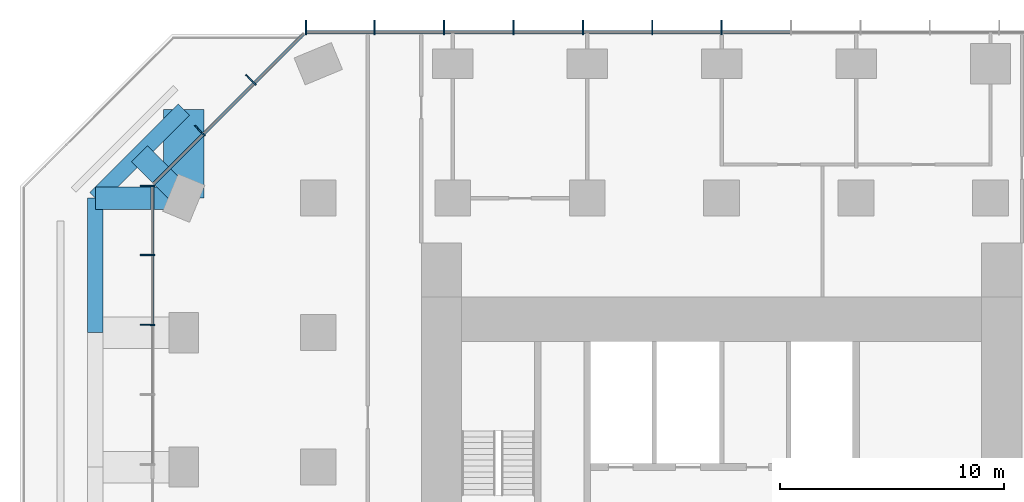
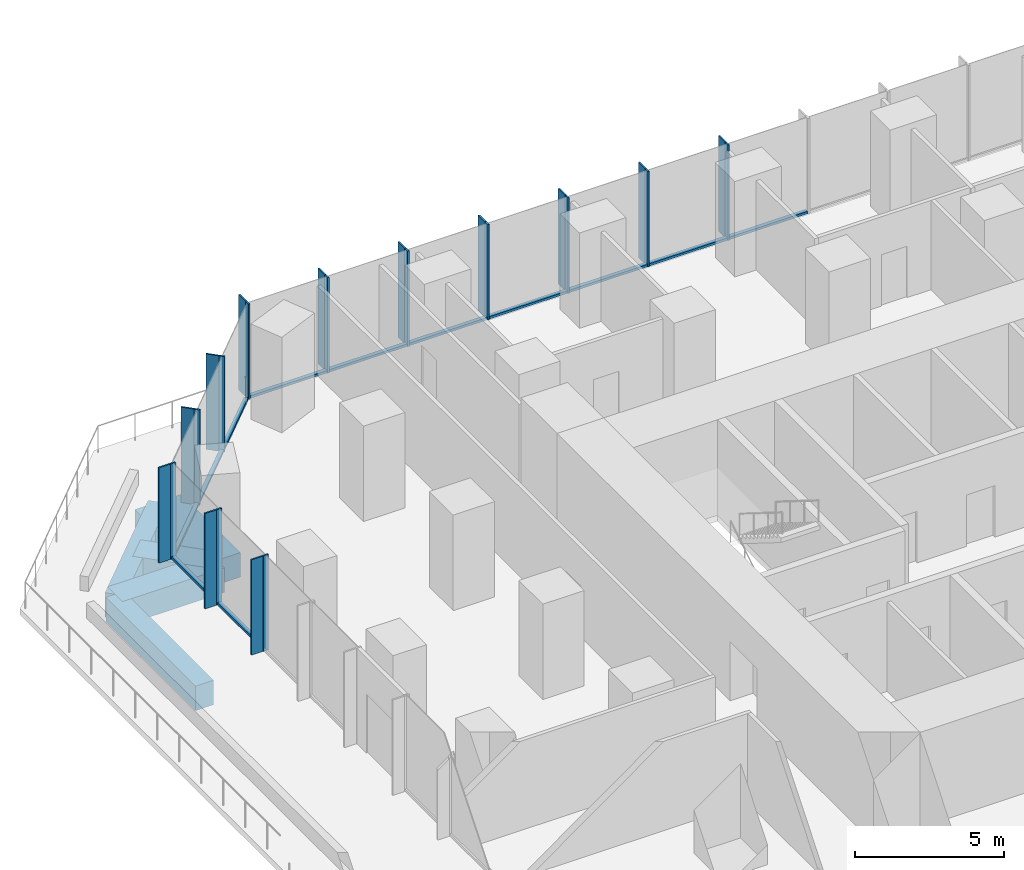
# One storey, part 5 of 11: 36 members, 5 beams, 3 elements without a shape of their own.
"""IFC4 building model written with IfcOpenShell, lengths in metres."""

from ifc_helpers import new_model, si_unit, direction, frame, origin, origin_2d, place, context, subcontext, project, spatial, rectangle, extrude, material, layer, layer_set, material_profile, profile_set, type_object, element, aggregate, save


model = new_model("IFC4")

# Units and contexts
model_context = context("Model", 3, precision=1e-05, world=origin(), true_north=direction((0.0, 1.0)))
body_context = subcontext(model_context, "Body", "Model", "MODEL_VIEW")
ifc_project = project(units=[si_unit("LENGTHUNIT", "METRE"), si_unit("AREAUNIT", "SQUARE_METRE"), si_unit("VOLUMEUNIT", "CUBIC_METRE"), si_unit("PLANEANGLEUNIT", "RADIAN"), si_unit("MASSUNIT", "GRAM", prefix="KILO")], contexts=[model_context])

# Site, building, storey
site_placement = place(None, origin())
site = spatial("IfcSite", under=ifc_project, at=site_placement, CompositionType="ELEMENT")
building_placement = place(site_placement, origin())
building = spatial("IfcBuilding", under=site, at=building_placement, Name="Highveld Stack Headquarters", CompositionType="ELEMENT")
storey_placement = place(building_placement, frame((0.0, 0.0, 140.60009765625)))
storey = spatial("IfcBuildingStorey", under=building, at=storey_placement, Name="L34", CompositionType="ELEMENT", Elevation=140.60009765625)

# Beams
ifc_material_1 = material(Name="Concrete C60/75", Category="concrete")
ifc_material_profile_1 = material_profile(ifc_material_1, rectangle(XDim=1.0, YDim=1.0, at=origin_2d()), Name="RC 1000x1000")
ifc_profile_set_1 = profile_set([ifc_material_profile_1], Name="Concrete C60/75")
beam_type_1 = type_object("IfcBeamType", Name="CANTILEVER RIB RC 1000x1000", PredefinedType="USERDEFINED", material=ifc_profile_set_1)
beam_1_placement = place(storey_placement, frame((-18.0, 18.0, -0.75), z_axis=(-1.0, 0.0, 0.0), x_axis=(0.0, -1.0, 0.0)))
element("IfcBeam", 1, at=beam_1_placement, inside=storey, type_object=beam_type_1, Name="Cantilever rib 3/H L34", ObjectType="CANTILEVER RIB", PredefinedType="USERDEFINED", context=body_context, shape_type="SweptSolid", body=[
    extrude(rectangle(XDim=1.0, YDim=1.0, at=origin_2d()), origin(), (0.0, 0.0, 1.0), 3.949951171875),
])
beam_2_placement = place(storey_placement, frame((-18.0, 18.0, -0.75), z_axis=(-0.707106781187, 0.707106781187, 0.0), x_axis=(-0.707106781187, -0.707106781187, 0.0)))
element("IfcBeam", 2, at=beam_2_placement, inside=storey, type_object=beam_type_1, Name="Cantilever rib 3/H L34", ObjectType="CANTILEVER RIB", PredefinedType="USERDEFINED", context=body_context, shape_type="SweptSolid", body=[
    extrude(rectangle(XDim=1.0, YDim=1.0, at=origin_2d()), origin(), (0.0, 0.0, 1.0), 2.793212890625),
])
ifc_material_2 = material(Name="Concrete C60/75", Category="concrete")
ifc_material_profile_2 = material_profile(ifc_material_2, rectangle(XDim=1.800048828125, YDim=1.0, at=origin_2d()), Name="RC 1800x1000")
ifc_profile_set_2 = profile_set([ifc_material_profile_2], Name="Concrete C60/75")
beam_type_2 = type_object("IfcBeamType", Name="CANTILEVER RIB RC 1800x1000", PredefinedType="USERDEFINED", material=ifc_profile_set_2)
beam_3_placement = place(storey_placement, frame((-18.0, 18.0, -0.75), z_axis=(0.0, 1.0, 0.0), x_axis=(-1.0, 0.0, 0.0)))
element("IfcBeam", 3, at=beam_3_placement, inside=storey, type_object=beam_type_2, Name="Cantilever rib 3/H L34", ObjectType="CANTILEVER RIB", PredefinedType="USERDEFINED", context=body_context, shape_type="SweptSolid", body=[
    extrude(rectangle(XDim=1.800048828125, YDim=1.0, at=origin_2d()), origin(), (0.0, 0.0, 1.0), 3.949951171875),
])

# Curtain wall, members
ifc_material_3 = material(Name="Aluminium bronze anodised", Category="aluminium")
ifc_layer_1 = layer(ifc_material_3, 0.199951171875)
ifc_layer_set_1 = layer_set([ifc_layer_1], Name="Aluminium bronze anodised")
curtain_wall_type_1 = type_object("IfcCurtainWallType", Name="CW1 TOWER UNITISED CURTAIN WALL", PredefinedType="NOTDEFINED", material=ifc_layer_set_1)
curtain_wall_1_placement = place(storey_placement, origin())
curtain_wall_1 = element("IfcCurtainWall", 4, at=curtain_wall_1_placement, inside=storey, type_object=curtain_wall_type_1, Name="Curtain wall CW1 L34 N", PredefinedType="NOTDEFINED")
ifc_material_4 = material(Name="Aluminium bronze anodised", Category="aluminium")
ifc_material_profile_3 = material_profile(ifc_material_4, rectangle(XDim=0.449951171875, YDim=0.06005859375, at=origin_2d()), Name="FIN 450x60")
ifc_profile_set_3 = profile_set([ifc_material_profile_3], Name="Aluminium bronze anodised")
member_type_1 = type_object("IfcMemberType", Name="CW1 BRONZE FIN 450x60", PredefinedType="USERDEFINED", material=ifc_profile_set_3)
member_1_placement = place(storey_placement, frame((6.0, 25.72509765625, 0.0), z_axis=(0.0, 0.0, 1.0), x_axis=(0.0, -1.0, 0.0)))
member_1 = element("IfcMember", 5, at=member_1_placement, type_object=member_type_1, Name="CW1 fin L34 7", ObjectType="FIN", PredefinedType="USERDEFINED", context=body_context, shape_type="SweptSolid", body=[
    extrude(rectangle(XDim=0.449951171875, YDim=0.06005859375, at=origin_2d()), origin(), (0.0, 0.0, 1.0), 3.89990234375),
])
member_2_placement = place(storey_placement, frame((2.9033203125, 25.72509765625, 0.0), z_axis=(0.0, 0.0, 1.0), x_axis=(0.0, -1.0, 0.0)))
member_2 = element("IfcMember", 6, at=member_2_placement, type_object=member_type_1, Name="CW1 fin L34 8", ObjectType="FIN", PredefinedType="USERDEFINED", context=body_context, shape_type="SweptSolid", body=[
    extrude(rectangle(XDim=0.449951171875, YDim=0.06005859375, at=origin_2d()), origin(), (0.0, 0.0, 1.0), 3.89990234375),
])
member_3_placement = place(storey_placement, frame((-0.193359375, 25.72509765625, 0.0), z_axis=(0.0, 0.0, 1.0), x_axis=(0.0, -1.0, 0.0)))
member_3 = element("IfcMember", 7, at=member_3_placement, type_object=member_type_1, Name="CW1 fin L34 9", ObjectType="FIN", PredefinedType="USERDEFINED", context=body_context, shape_type="SweptSolid", body=[
    extrude(rectangle(XDim=0.449951171875, YDim=0.06005859375, at=origin_2d()), origin(), (0.0, 0.0, 1.0), 3.89990234375),
])
member_4_placement = place(storey_placement, frame((-3.2900390625, 25.72509765625, 0.0), z_axis=(0.0, 0.0, 1.0), x_axis=(0.0, -1.0, 0.0)))
member_4 = element("IfcMember", 8, at=member_4_placement, type_object=member_type_1, Name="CW1 fin L34 10", ObjectType="FIN", PredefinedType="USERDEFINED", context=body_context, shape_type="SweptSolid", body=[
    extrude(rectangle(XDim=0.449951171875, YDim=0.06005859375, at=origin_2d()), origin(), (0.0, 0.0, 1.0), 3.89990234375),
])
member_5_placement = place(storey_placement, frame((-6.38671875, 25.72509765625, 0.0), z_axis=(0.0, 0.0, 1.0), x_axis=(0.0, -1.0, 0.0)))
member_5 = element("IfcMember", 9, at=member_5_placement, type_object=member_type_1, Name="CW1 fin L34 11", ObjectType="FIN", PredefinedType="USERDEFINED", context=body_context, shape_type="SweptSolid", body=[
    extrude(rectangle(XDim=0.449951171875, YDim=0.06005859375, at=origin_2d()), origin(), (0.0, 0.0, 1.0), 3.89990234375),
])
member_6_placement = place(storey_placement, frame((-9.4833984375, 25.72509765625, 0.0), z_axis=(0.0, 0.0, 1.0), x_axis=(0.0, -1.0, 0.0)))
member_6 = element("IfcMember", 10, at=member_6_placement, type_object=member_type_1, Name="CW1 fin L34 12", ObjectType="FIN", PredefinedType="USERDEFINED", context=body_context, shape_type="SweptSolid", body=[
    extrude(rectangle(XDim=0.449951171875, YDim=0.06005859375, at=origin_2d()), origin(), (0.0, 0.0, 1.0), 3.89990234375),
])
member_7_placement = place(storey_placement, frame((-12.54736328125, 25.72509765625, 0.0), z_axis=(0.0, 0.0, 1.0), x_axis=(0.0, -1.0, 0.0)))
member_7 = element("IfcMember", 11, at=member_7_placement, type_object=member_type_1, Name="CW1 fin L34 13", ObjectType="FIN", PredefinedType="USERDEFINED", context=body_context, shape_type="SweptSolid", body=[
    extrude(rectangle(XDim=0.449951171875, YDim=0.06005859375, at=origin_2d()), origin(), (0.0, 0.0, 1.0), 3.89990234375),
])

curtain_wall_2_placement = place(storey_placement, origin())
curtain_wall_2 = element("IfcCurtainWall", 12, at=curtain_wall_2_placement, inside=storey, type_object=curtain_wall_type_1, Name="Curtain wall CW1 L34 W-1", PredefinedType="NOTDEFINED")
member_8_placement = place(storey_placement, frame((-19.72509765625, 18.54736328125, 0.0), z_axis=(0.0, 0.0, 1.0), x_axis=(1.0, 0.0, 0.0)))
member_8 = element("IfcMember", 13, at=member_8_placement, type_object=member_type_1, Name="CW1 fin L34 1", ObjectType="FIN", PredefinedType="USERDEFINED", context=body_context, shape_type="SweptSolid", body=[
    extrude(rectangle(XDim=0.449951171875, YDim=0.06005859375, at=origin_2d()), origin(), (0.0, 0.0, 1.0), 3.89990234375),
])
member_9_placement = place(storey_placement, frame((-19.72509765625, 15.4638671875, 0.0), z_axis=(0.0, 0.0, 1.0), x_axis=(1.0, 0.0, 0.0)))
member_9 = element("IfcMember", 14, at=member_9_placement, type_object=member_type_1, Name="CW1 fin L34 2", ObjectType="FIN", PredefinedType="USERDEFINED", context=body_context, shape_type="SweptSolid", body=[
    extrude(rectangle(XDim=0.449951171875, YDim=0.06005859375, at=origin_2d()), origin(), (0.0, 0.0, 1.0), 3.89990234375),
])
member_10_placement = place(storey_placement, frame((-19.72509765625, 12.347900390625, 0.0), z_axis=(0.0, 0.0, 1.0), x_axis=(1.0, 0.0, 0.0)))
member_10 = element("IfcMember", 15, at=member_10_placement, type_object=member_type_1, Name="CW1 fin L34 3", ObjectType="FIN", PredefinedType="USERDEFINED", context=body_context, shape_type="SweptSolid", body=[
    extrude(rectangle(XDim=0.449951171875, YDim=0.06005859375, at=origin_2d()), origin(), (0.0, 0.0, 1.0), 3.89990234375),
])

# Member
ifc_material_5 = material(Name="Aluminium bronze anodised", Category="aluminium")
ifc_material_profile_4 = material_profile(ifc_material_5, rectangle(XDim=0.199951171875, YDim=0.06494140625, at=origin_2d()), Name="CW1 MULLION 65x200")
ifc_profile_set_4 = profile_set([ifc_material_profile_4], Name="Aluminium bronze anodised")
member_type_2 = type_object("IfcMemberType", Name="CW1 MULLION 65x200", PredefinedType="MULLION", material=ifc_profile_set_4)
member_11_placement = place(storey_placement, frame((6.0, 25.39990234375, 0.0), z_axis=(0.0, 0.0, 1.0), x_axis=(0.0, -1.0, 0.0)))
member_11 = element("IfcMember", 16, at=member_11_placement, type_object=member_type_2, Name="CW1 mullion L34 7", PredefinedType="MULLION", context=body_context, shape_type="SweptSolid", body=[
    extrude(rectangle(XDim=0.199951171875, YDim=0.06494140625, at=origin_2d()), origin(), (0.0, 0.0, 1.0), 3.89990234375),
])

member_12_placement = place(storey_placement, frame((2.9033203125, 25.39990234375, 0.0), z_axis=(0.0, 0.0, 1.0), x_axis=(0.0, -1.0, 0.0)))
member_12 = element("IfcMember", 17, at=member_12_placement, type_object=member_type_2, Name="CW1 mullion L34 8", PredefinedType="MULLION", context=body_context, shape_type="SweptSolid", body=[
    extrude(rectangle(XDim=0.199951171875, YDim=0.06494140625, at=origin_2d()), origin(), (0.0, 0.0, 1.0), 3.89990234375),
])

member_13_placement = place(storey_placement, frame((-0.193359375, 25.39990234375, 0.0), z_axis=(0.0, 0.0, 1.0), x_axis=(0.0, -1.0, 0.0)))
member_13 = element("IfcMember", 18, at=member_13_placement, type_object=member_type_2, Name="CW1 mullion L34 9", PredefinedType="MULLION", context=body_context, shape_type="SweptSolid", body=[
    extrude(rectangle(XDim=0.199951171875, YDim=0.06494140625, at=origin_2d()), origin(), (0.0, 0.0, 1.0), 3.89990234375),
])

member_14_placement = place(storey_placement, frame((-3.2900390625, 25.39990234375, 0.0), z_axis=(0.0, 0.0, 1.0), x_axis=(0.0, -1.0, 0.0)))
member_14 = element("IfcMember", 19, at=member_14_placement, type_object=member_type_2, Name="CW1 mullion L34 10", PredefinedType="MULLION", context=body_context, shape_type="SweptSolid", body=[
    extrude(rectangle(XDim=0.199951171875, YDim=0.06494140625, at=origin_2d()), origin(), (0.0, 0.0, 1.0), 3.89990234375),
])

member_15_placement = place(storey_placement, frame((-6.38671875, 25.39990234375, 0.0), z_axis=(0.0, 0.0, 1.0), x_axis=(0.0, -1.0, 0.0)))
member_15 = element("IfcMember", 20, at=member_15_placement, type_object=member_type_2, Name="CW1 mullion L34 11", PredefinedType="MULLION", context=body_context, shape_type="SweptSolid", body=[
    extrude(rectangle(XDim=0.199951171875, YDim=0.06494140625, at=origin_2d()), origin(), (0.0, 0.0, 1.0), 3.89990234375),
])

member_16_placement = place(storey_placement, frame((-9.4833984375, 25.39990234375, 0.0), z_axis=(0.0, 0.0, 1.0), x_axis=(0.0, -1.0, 0.0)))
member_16 = element("IfcMember", 21, at=member_16_placement, type_object=member_type_2, Name="CW1 mullion L34 12", PredefinedType="MULLION", context=body_context, shape_type="SweptSolid", body=[
    extrude(rectangle(XDim=0.199951171875, YDim=0.06494140625, at=origin_2d()), origin(), (0.0, 0.0, 1.0), 3.89990234375),
])

member_17_placement = place(storey_placement, frame((-12.54736328125, 25.39990234375, 0.0), z_axis=(0.0, 0.0, 1.0), x_axis=(0.0, -1.0, 0.0)))
member_17 = element("IfcMember", 22, at=member_17_placement, type_object=member_type_2, Name="CW1 mullion L34 13", PredefinedType="MULLION", context=body_context, shape_type="SweptSolid", body=[
    extrude(rectangle(XDim=0.199951171875, YDim=0.06494140625, at=origin_2d()), origin(), (0.0, 0.0, 1.0), 3.89990234375),
])

member_18_placement = place(storey_placement, frame((-19.39990234375, 18.54736328125, 0.0), z_axis=(0.0, 0.0, 1.0), x_axis=(1.0, 0.0, 0.0)))
member_18 = element("IfcMember", 23, at=member_18_placement, type_object=member_type_2, Name="CW1 mullion L34 1", PredefinedType="MULLION", context=body_context, shape_type="SweptSolid", body=[
    extrude(rectangle(XDim=0.199951171875, YDim=0.06494140625, at=origin_2d()), origin(), (0.0, 0.0, 1.0), 3.89990234375),
])

member_19_placement = place(storey_placement, frame((-19.39990234375, 15.4638671875, 0.0), z_axis=(0.0, 0.0, 1.0), x_axis=(1.0, 0.0, 0.0)))
member_19 = element("IfcMember", 24, at=member_19_placement, type_object=member_type_2, Name="CW1 mullion L34 2", PredefinedType="MULLION", context=body_context, shape_type="SweptSolid", body=[
    extrude(rectangle(XDim=0.199951171875, YDim=0.06494140625, at=origin_2d()), origin(), (0.0, 0.0, 1.0), 3.89990234375),
])

member_20_placement = place(storey_placement, frame((-19.39990234375, 12.347900390625, 0.0), z_axis=(0.0, 0.0, 1.0), x_axis=(1.0, 0.0, 0.0)))
member_20 = element("IfcMember", 25, at=member_20_placement, type_object=member_type_2, Name="CW1 mullion L34 3", PredefinedType="MULLION", context=body_context, shape_type="SweptSolid", body=[
    extrude(rectangle(XDim=0.199951171875, YDim=0.06494140625, at=origin_2d()), origin(), (0.0, 0.0, 1.0), 3.89990234375),
])

ifc_material_6 = material(Name="Aluminium bronze anodised", Category="aluminium")
ifc_material_profile_5 = material_profile(ifc_material_6, rectangle(XDim=0.14990234375, YDim=0.10009765625, at=origin_2d()), Name="CW1 TRANSOM 150x100")
ifc_profile_set_5 = profile_set([ifc_material_profile_5], Name="Aluminium bronze anodised")
member_type_3 = type_object("IfcMemberType", Name="CW1 STACK TRANSOM 150x100", PredefinedType="USERDEFINED", material=ifc_profile_set_5)
member_21_placement = place(storey_placement, frame((9.064208984375, 25.39990234375, 0.0498046875), z_axis=(-1.0, 0.0, 0.0), x_axis=(0.0, -1.0, 0.0)))
member_21 = element("IfcMember", 26, at=member_21_placement, type_object=member_type_3, Name="CW1 transom L34 6.1", ObjectType="TRANSOM", PredefinedType="USERDEFINED", context=body_context, shape_type="SweptSolid", body=[
    extrude(rectangle(XDim=0.14990234375, YDim=0.10009765625, at=origin_2d()), origin(), (0.0, 0.0, 1.0), 3.03173828125),
])

member_22_placement = place(storey_placement, frame((5.967529296875, 25.39990234375, 0.0498046875), z_axis=(-1.0, 0.0, 0.0), x_axis=(0.0, -1.0, 0.0)))
member_22 = element("IfcMember", 27, at=member_22_placement, type_object=member_type_3, Name="CW1 transom L34 7.1", ObjectType="TRANSOM", PredefinedType="USERDEFINED", context=body_context, shape_type="SweptSolid", body=[
    extrude(rectangle(XDim=0.14990234375, YDim=0.10009765625, at=origin_2d()), origin(), (0.0, 0.0, 1.0), 3.03173828125),
])

member_23_placement = place(storey_placement, frame((2.870849609375, 25.39990234375, 0.0498046875), z_axis=(-1.0, 0.0, 0.0), x_axis=(0.0, -1.0, 0.0)))
member_23 = element("IfcMember", 28, at=member_23_placement, type_object=member_type_3, Name="CW1 transom L34 8.1", ObjectType="TRANSOM", PredefinedType="USERDEFINED", context=body_context, shape_type="SweptSolid", body=[
    extrude(rectangle(XDim=0.14990234375, YDim=0.10009765625, at=origin_2d()), origin(), (0.0, 0.0, 1.0), 3.03173828125),
])

member_24_placement = place(storey_placement, frame((-0.225830078125, 25.39990234375, 0.0498046875), z_axis=(-1.0, 0.0, 0.0), x_axis=(0.0, -1.0, 0.0)))
member_24 = element("IfcMember", 29, at=member_24_placement, type_object=member_type_3, Name="CW1 transom L34 9.1", ObjectType="TRANSOM", PredefinedType="USERDEFINED", context=body_context, shape_type="SweptSolid", body=[
    extrude(rectangle(XDim=0.14990234375, YDim=0.10009765625, at=origin_2d()), origin(), (0.0, 0.0, 1.0), 3.03173828125),
])

member_25_placement = place(storey_placement, frame((-3.322509765625, 25.39990234375, 0.0498046875), z_axis=(-1.0, 0.0, 0.0), x_axis=(0.0, -1.0, 0.0)))
member_25 = element("IfcMember", 30, at=member_25_placement, type_object=member_type_3, Name="CW1 transom L34 10.1", ObjectType="TRANSOM", PredefinedType="USERDEFINED", context=body_context, shape_type="SweptSolid", body=[
    extrude(rectangle(XDim=0.14990234375, YDim=0.10009765625, at=origin_2d()), origin(), (0.0, 0.0, 1.0), 3.031494140625),
])

member_26_placement = place(storey_placement, frame((-6.419189453125, 25.39990234375, 0.0498046875), z_axis=(-1.0, 0.0, 0.0), x_axis=(0.0, -1.0, 0.0)))
member_26 = element("IfcMember", 31, at=member_26_placement, type_object=member_type_3, Name="CW1 transom L34 11.1", ObjectType="TRANSOM", PredefinedType="USERDEFINED", context=body_context, shape_type="SweptSolid", body=[
    extrude(rectangle(XDim=0.14990234375, YDim=0.10009765625, at=origin_2d()), origin(), (0.0, 0.0, 1.0), 3.031494140625),
])

member_27_placement = place(storey_placement, frame((-9.515869140625, 25.39990234375, 0.0498046875), z_axis=(-1.0, 0.0, 0.0), x_axis=(0.0, -1.0, 0.0)))
member_27 = element("IfcMember", 32, at=member_27_placement, type_object=member_type_3, Name="CW1 transom L34 12.1", ObjectType="TRANSOM", PredefinedType="USERDEFINED", context=body_context, shape_type="SweptSolid", body=[
    extrude(rectangle(XDim=0.14990234375, YDim=0.10009765625, at=origin_2d()), origin(), (0.0, 0.0, 1.0), 2.9990234375),
])

aggregate(curtain_wall_1, [member_11, member_1, member_12, member_2, member_13, member_3, member_14, member_4, member_15, member_5, member_16, member_6, member_17, member_7, member_21, member_22, member_23, member_24, member_25, member_26, member_27])

member_28_placement = place(storey_placement, frame((-19.39990234375, 18.514892578125, 0.0498046875), z_axis=(0.0, -1.0, 0.0), x_axis=(1.0, 0.0, 0.0)))
member_28 = element("IfcMember", 33, at=member_28_placement, type_object=member_type_3, Name="CW1 transom L34 1.1", ObjectType="TRANSOM", PredefinedType="USERDEFINED", context=body_context, shape_type="SweptSolid", body=[
    extrude(rectangle(XDim=0.14990234375, YDim=0.10009765625, at=origin_2d()), origin(), (0.0, 0.0, 1.0), 3.0185546875),
])

member_29_placement = place(storey_placement, frame((-19.39990234375, 15.431396484375, 0.0498046875), z_axis=(0.0, -1.0, 0.0), x_axis=(1.0, 0.0, 0.0)))
member_29 = element("IfcMember", 34, at=member_29_placement, type_object=member_type_3, Name="CW1 transom L34 2.1", ObjectType="TRANSOM", PredefinedType="USERDEFINED", context=body_context, shape_type="SweptSolid", body=[
    extrude(rectangle(XDim=0.14990234375, YDim=0.10009765625, at=origin_2d()), origin(), (0.0, 0.0, 1.0), 3.051025390625),
])

aggregate(curtain_wall_2, [member_18, member_8, member_19, member_9, member_20, member_10, member_28, member_29])

# Curtain wall, members
ifc_material_7 = material(Name="Aluminium bronze anodised", Category="aluminium")
ifc_layer_2 = layer(ifc_material_7, 0.199951171875)
ifc_layer_set_2 = layer_set([ifc_layer_2], Name="Aluminium bronze anodised")
curtain_wall_type_2 = type_object("IfcCurtainWallType", Name="CW2 TOWER CHAMFER UNITISED CURTAIN WALL", PredefinedType="NOTDEFINED", material=ifc_layer_set_2)
curtain_wall_3_placement = place(storey_placement, origin())
curtain_wall_3 = element("IfcCurtainWall", 35, at=curtain_wall_3_placement, inside=storey, type_object=curtain_wall_type_2, Name="Curtain wall CW2 L34 NW", PredefinedType="NOTDEFINED")
ifc_material_8 = material(Name="Aluminium bronze anodised", Category="aluminium")
ifc_material_profile_6 = material_profile(ifc_material_8, rectangle(XDim=0.449951171875, YDim=0.06005859375, at=origin_2d()), Name="FIN 450x60")
ifc_profile_set_6 = profile_set([ifc_material_profile_6], Name="Aluminium bronze anodised")
member_type_4 = type_object("IfcMemberType", Name="CW2 BRONZE FIN 450x60", PredefinedType="USERDEFINED", material=ifc_profile_set_6)
member_30_placement = place(storey_placement, frame((-15.0830078125, 23.3564453125, 0.0), z_axis=(0.0, 0.0, 1.0), x_axis=(0.707106781187, -0.707106781187, 0.0)))
member_30 = element("IfcMember", 36, at=member_30_placement, type_object=member_type_4, Name="CW2 fin L34 1", ObjectType="FIN", PredefinedType="USERDEFINED", context=body_context, shape_type="SweptSolid", body=[
    extrude(rectangle(XDim=0.449951171875, YDim=0.06005859375, at=origin_2d()), origin(), (0.0, 0.0, 1.0), 3.89990234375),
])
member_31_placement = place(storey_placement, frame((-17.3564453125, 21.0830078125, 0.0), z_axis=(0.0, 0.0, 1.0), x_axis=(0.707106781187, -0.707106781187, 0.0)))
member_31 = element("IfcMember", 37, at=member_31_placement, type_object=member_type_4, Name="CW2 fin L34 2", ObjectType="FIN", PredefinedType="USERDEFINED", context=body_context, shape_type="SweptSolid", body=[
    extrude(rectangle(XDim=0.449951171875, YDim=0.06005859375, at=origin_2d()), origin(), (0.0, 0.0, 1.0), 3.89990234375),
])
ifc_material_9 = material(Name="Aluminium bronze anodised", Category="aluminium")
ifc_material_profile_7 = material_profile(ifc_material_9, rectangle(XDim=0.199951171875, YDim=0.06494140625, at=origin_2d()), Name="CW2 MULLION 65x200")
ifc_profile_set_7 = profile_set([ifc_material_profile_7], Name="Aluminium bronze anodised")
member_type_5 = type_object("IfcMemberType", Name="CW2 MULLION 65x200", PredefinedType="MULLION", material=ifc_profile_set_7)
member_32_placement = place(storey_placement, frame((-14.853271484375, 23.126708984375, 0.0), z_axis=(0.0, 0.0, 1.0), x_axis=(0.707106781187, -0.707106781187, 0.0)))
member_32 = element("IfcMember", 38, at=member_32_placement, type_object=member_type_5, Name="CW2 mullion L34 1", PredefinedType="MULLION", context=body_context, shape_type="SweptSolid", body=[
    extrude(rectangle(XDim=0.199951171875, YDim=0.06494140625, at=origin_2d()), origin(), (0.0, 0.0, 1.0), 3.89990234375),
])
member_33_placement = place(storey_placement, frame((-17.126708984375, 20.853271484375, 0.0), z_axis=(0.0, 0.0, 1.0), x_axis=(0.707106781187, -0.707106781187, 0.0)))
member_33 = element("IfcMember", 39, at=member_33_placement, type_object=member_type_5, Name="CW2 mullion L34 2", PredefinedType="MULLION", context=body_context, shape_type="SweptSolid", body=[
    extrude(rectangle(XDim=0.199951171875, YDim=0.06494140625, at=origin_2d()), origin(), (0.0, 0.0, 1.0), 3.89990234375),
])
ifc_material_10 = material(Name="Aluminium bronze anodised", Category="aluminium")
ifc_material_profile_8 = material_profile(ifc_material_10, rectangle(XDim=0.14990234375, YDim=0.10009765625, at=origin_2d()), Name="CW2 TRANSOM 150x100")
ifc_profile_set_8 = profile_set([ifc_material_profile_8], Name="Aluminium bronze anodised")
member_type_6 = type_object("IfcMemberType", Name="CW2 STACK TRANSOM 150x100", PredefinedType="USERDEFINED", material=ifc_profile_set_8)
member_34_placement = place(storey_placement, frame((-12.650634765625, 25.329345703125, 0.0498046875), z_axis=(-0.707106781187, -0.707106781187, 0.0), x_axis=(0.707106781187, -0.707106781187, 0.0)))
member_34 = element("IfcMember", 40, at=member_34_placement, type_object=member_type_6, Name="CW2 transom L34 1.1", ObjectType="TRANSOM", PredefinedType="USERDEFINED", context=body_context, shape_type="SweptSolid", body=[
    extrude(rectangle(XDim=0.14990234375, YDim=0.10009765625, at=origin_2d()), origin(), (0.0, 0.0, 1.0), 3.08251953125),
])
member_35_placement = place(storey_placement, frame((-14.876220703125, 23.103759765625, 0.0498046875), z_axis=(-0.707106781187, -0.707106781187, 0.0), x_axis=(0.707106781187, -0.707106781187, 0.0)))
member_35 = element("IfcMember", 41, at=member_35_placement, type_object=member_type_6, Name="CW2 transom L34 2.1", ObjectType="TRANSOM", PredefinedType="USERDEFINED", context=body_context, shape_type="SweptSolid", body=[
    extrude(rectangle(XDim=0.14990234375, YDim=0.10009765625, at=origin_2d()), origin(), (0.0, 0.0, 1.0), 3.150146484375),
])
member_36_placement = place(storey_placement, frame((-17.149658203125, 20.830322265625, 0.0498046875), z_axis=(-0.707106781187, -0.707106781187, 0.0), x_axis=(0.707106781187, -0.707106781187, 0.0)))
member_36 = element("IfcMember", 42, at=member_36_placement, type_object=member_type_6, Name="CW2 transom L34 3.1", ObjectType="TRANSOM", PredefinedType="USERDEFINED", context=body_context, shape_type="SweptSolid", body=[
    extrude(rectangle(XDim=0.14990234375, YDim=0.10009765625, at=origin_2d()), origin(), (0.0, 0.0, 1.0), 3.08251953125),
])
aggregate(curtain_wall_3, [member_32, member_30, member_33, member_31, member_34, member_35, member_36])

# Beams
ifc_material_11 = material(Name="Concrete C60/75", Category="concrete")
ifc_material_profile_9 = material_profile(ifc_material_11, rectangle(XDim=0.699951171875, YDim=1.0, at=origin_2d()), Name="RC 700x1000")
ifc_profile_set_9 = profile_set([ifc_material_profile_9], Name="Concrete C60/75")
beam_type_3 = type_object("IfcBeamType", Name="RIB TIP BEAM RC 700x1000", PredefinedType="SPANDREL", material=ifc_profile_set_9)
beam_4_placement = place(storey_placement, frame((-21.949951171875, 12.0, -0.75), z_axis=(0.0, 1.0, 0.0), x_axis=(-1.0, 0.0, 0.0)))
element("IfcBeam", 43, at=beam_4_placement, inside=storey, type_object=beam_type_3, Name="Rib tip beam 3/G to 3/H L34", PredefinedType="SPANDREL", context=body_context, shape_type="SweptSolid", body=[
    extrude(rectangle(XDim=0.699951171875, YDim=1.0, at=origin_2d()), origin(), (0.0, 0.0, 1.0), 6.0),
])
beam_5_placement = place(storey_placement, frame((-21.949951171875, 18.0, -0.75), z_axis=(0.707106781187, 0.707106781187, 0.0), x_axis=(-0.707106781187, 0.707106781187, 0.0)))
element("IfcBeam", 44, at=beam_5_placement, inside=storey, type_object=beam_type_3, Name="Rib tip beam 3/H corner L34", PredefinedType="SPANDREL", context=body_context, shape_type="SweptSolid", body=[
    extrude(rectangle(XDim=0.699951171875, YDim=1.0, at=origin_2d()), origin(), (0.0, 0.0, 1.0), 5.586181640625),
])

save(model, "model.ifc")
